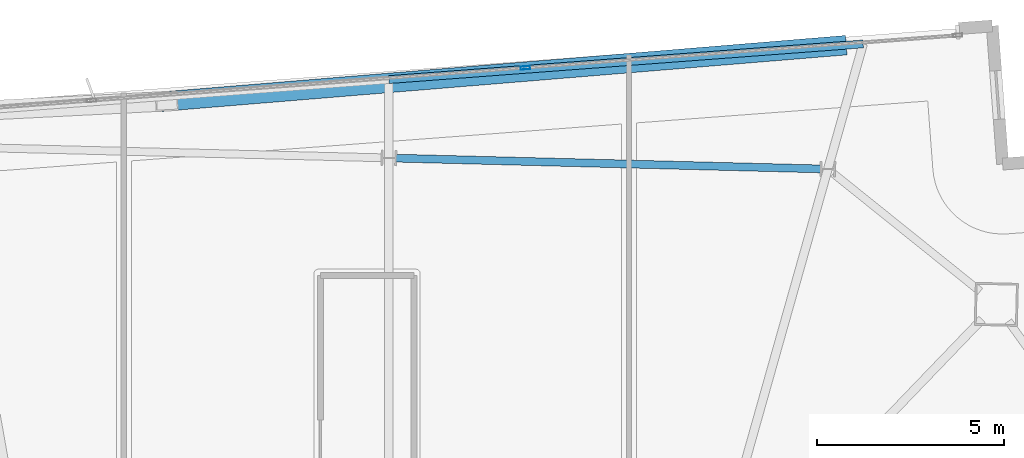
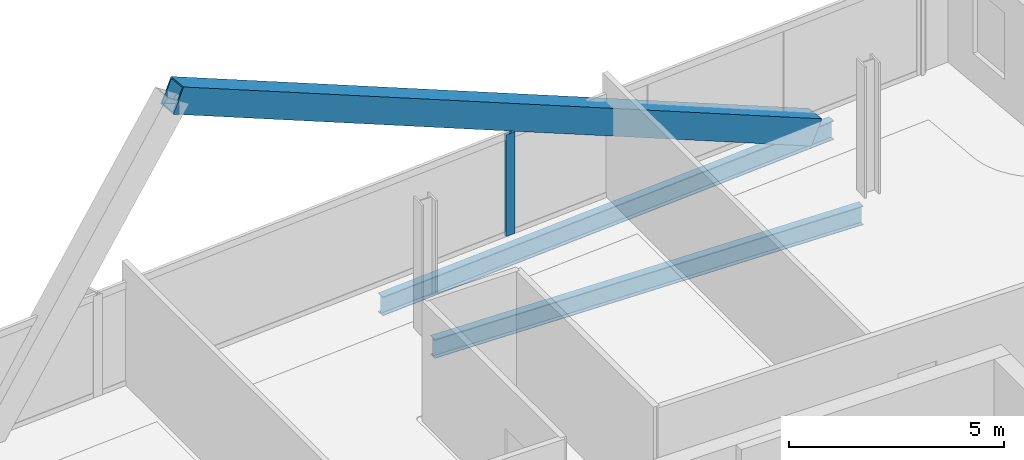
# One storey, part 13 of 23: 2 beams, 2 members, 1 element without a shape of its own.
"""IFC4 building model written with IfcOpenShell, lengths in metres."""

from ifc_helpers import new_model, si_unit, direction, frame, origin, origin_2d, place, context, subcontext, project, spatial, hollow_rectangle, i_section, extrude, material, material_profile, profile_set, type_object, element, aggregate, save


model = new_model("IFC4")

# Units and contexts
model_context = context("Model", 3, precision=1e-05, world=origin(), true_north=direction((0.0, 1.0)))
body_context = subcontext(model_context, "Body", "Model", "MODEL_VIEW")
ifc_project = project(units=[si_unit("LENGTHUNIT", "METRE"), si_unit("AREAUNIT", "SQUARE_METRE"), si_unit("VOLUMEUNIT", "CUBIC_METRE"), si_unit("PLANEANGLEUNIT", "RADIAN"), si_unit("MASSUNIT", "GRAM", prefix="KILO")], contexts=[model_context])

# Site, building, storey
site_placement = place(None, origin())
site = spatial("IfcSite", under=ifc_project, at=site_placement, CompositionType="ELEMENT")
building_placement = place(site_placement, origin())
building = spatial("IfcBuilding", under=site, at=building_placement, Name="Haldenkirk Collegiate Tower", CompositionType="ELEMENT")
storey_placement = place(building_placement, frame((0.0, 0.0, 343.949951171875)))
storey = spatial("IfcBuildingStorey", under=building, at=storey_placement, Name="L87", CompositionType="ELEMENT", Elevation=343.949951171875)

# Beams
ifc_material_1 = material(Name="Steel ASTM A992 Grade 50", Category="steel")
ifc_material_profile_1 = material_profile(ifc_material_1, i_section(OverallWidth=0.2099609375, OverallDepth=0.537109375, WebThickness=0.010986328125, FlangeThickness=0.017333984375, at=origin_2d()), Name="W21X68")
ifc_profile_set_1 = profile_set([ifc_material_profile_1], Name="Steel ASTM A992 Grade 50")
beam_type = type_object("IfcBeamType", Name="BM-SPANDREL-W21X68", PredefinedType="SPANDREL", material=ifc_profile_set_1)
beam_1_placement = place(storey_placement, frame((48.123779296875, 45.74951171875, -0.528564453125), z_axis=(-0.999679864584, 0.025301548267, 0.0), x_axis=(-0.025301548267, -0.999679864584, 0.0)))
element("IfcBeam", 1, at=beam_1_placement, inside=storey, type_object=beam_type, Name="L87 perimeter spandrel beam 06", PredefinedType="SPANDREL", context=body_context, shape_type="SweptSolid", body=[
    extrude(i_section(OverallWidth=0.2099609375, OverallDepth=0.537109375, WebThickness=0.010986328125, FlangeThickness=0.017333984375, at=origin_2d()), origin(), (0.0, 0.0, 1.0), 11.357177734375),
])
beam_2_placement = place(storey_placement, frame((49.25439453125, 49.0888671875, -0.528564453125), z_axis=(-0.997184783825, -0.074983377541, 0.0), x_axis=(0.074983377541, -0.997184783825, 0.0)))
element("IfcBeam", 2, at=beam_2_placement, inside=storey, type_object=beam_type, Name="L87 outer facade edge beam 2A", PredefinedType="SPANDREL", context=body_context, shape_type="SweptSolid", body=[
    extrude(i_section(OverallWidth=0.2099609375, OverallDepth=0.537109375, WebThickness=0.010986328125, FlangeThickness=0.017333984375, at=origin_2d()), origin(), (0.0, 0.0, 1.0), 12.7080078125),
])

# Curtain wall, member
ifc_material_2 = material(Name="Anodised architectural bronze aluminium", Category="aluminium")
curtain_wall_type = type_object("IfcCurtainWallType", Name="CW-SYS1B-CONVEX-HI", PredefinedType="USERDEFINED", material=ifc_material_2)
curtain_wall_placement = place(storey_placement, origin())
curtain_wall = element("IfcCurtainWall", 3, at=curtain_wall_placement, inside=storey, type_object=curtain_wall_type, Name="L87 Upper tower high-wind convex bronze unitised curtain wall", ObjectType="UNITISED CURTAIN WALL", PredefinedType="USERDEFINED")
ifc_material_profile_2 = material_profile(ifc_material_2, hollow_rectangle(XDim=0.0849609375, YDim=0.25, WallThickness=0.0048828125, at=origin_2d()), Name="CW-MUL-1B")
ifc_profile_set_2 = profile_set([ifc_material_profile_2], Name="Anodised architectural bronze aluminium")
member_type_1 = type_object("IfcMemberType", Name="CW-MUL-1B", PredefinedType="MULLION", material=ifc_profile_set_2)
member_1_placement = place(storey_placement, frame((40.228515625, 48.4501953125, 0.0), z_axis=(0.0, 0.0, 1.0), x_axis=(-0.074979276345, 0.997185092206, 0.0)))
member_1 = element("IfcMember", 4, at=member_1_placement, type_object=member_type_1, Name="CW-1B mullion 3", PredefinedType="MULLION", context=body_context, shape_type="SweptSolid", body=[
    extrude(hollow_rectangle(XDim=0.0849609375, YDim=0.25, WallThickness=0.0048828125, at=origin_2d()), origin(), (0.0, 0.0, 1.0), 2.887939453125),
])
aggregate(curtain_wall, [member_1])

# Member
ifc_material_3 = material(Name="Steel ASTM A572 Grade 50", Category="steel")
ifc_material_profile_3 = material_profile(ifc_material_3, hollow_rectangle(XDim=0.52001953125, YDim=0.719970703125, WallThickness=0.035888671875, at=origin_2d()), Name="BOX720X520X36")
ifc_profile_set_3 = profile_set([ifc_material_profile_3], Name="Steel ASTM A572 Grade 50")
member_type_2 = type_object("IfcMemberType", Name="MBR-MEGABRACE-BOX720X520X36", PredefinedType="BRACE", material=ifc_profile_set_3)
member_2_placement = place(storey_placement, frame((48.65625, 49.043701171875, -0.27001953125), z_axis=(-0.90921852436, -0.075024458203, 0.409503364617), x_axis=(0.082235832951, -0.996612897658, 0.0)))
element("IfcMember", 5, at=member_2_placement, inside=storey, type_object=member_type_2, Name="Perimeter Mega Brace Z6 L87-L88 EL", PredefinedType="BRACE", context=body_context, shape_type="SweptSolid", body=[
    extrude(hollow_rectangle(XDim=0.52001953125, YDim=0.719970703125, WallThickness=0.035888671875, at=origin_2d()), origin(), (0.0, 0.0, 1.0), 19.8046875),
])

save(model, "model.ifc")
